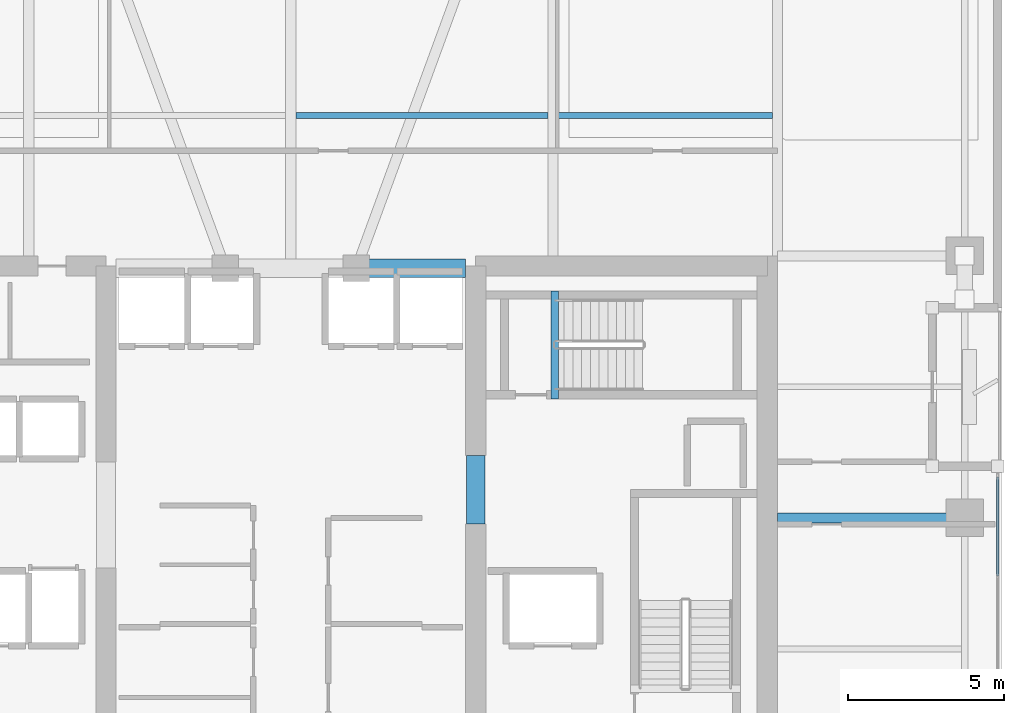
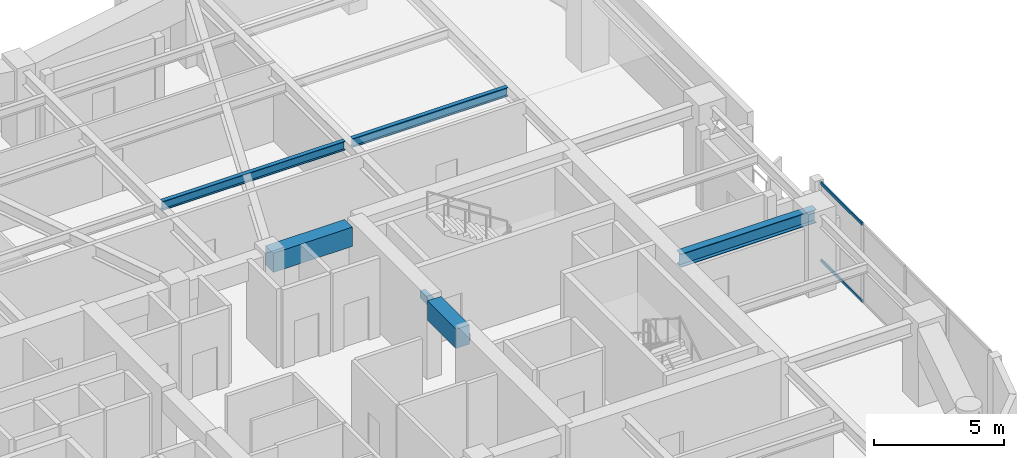
# One storey, part 10 of 30: 6 beams, 2 members, 1 element without a shape of its own.
"""IFC4 building model written with IfcOpenShell, lengths in metres."""

from ifc_helpers import new_model, si_unit, direction, frame, origin, origin_2d, place, context, subcontext, project, spatial, rectangle, hollow_rectangle, i_section, extrude, material, layer, layer_set, material_profile, profile_set, type_object, element, aggregate, save


model = new_model("IFC4")

# Units and contexts
model_context = context("Model", 3, precision=1e-05, world=origin(), true_north=direction((0.0, 1.0)))
body_context = subcontext(model_context, "Body", "Model", "MODEL_VIEW")
ifc_project = project(units=[si_unit("LENGTHUNIT", "METRE"), si_unit("AREAUNIT", "SQUARE_METRE"), si_unit("VOLUMEUNIT", "CUBIC_METRE"), si_unit("PLANEANGLEUNIT", "RADIAN"), si_unit("MASSUNIT", "GRAM", prefix="KILO")], contexts=[model_context])

# Site, building, storey
site_placement = place(None, origin())
site = spatial("IfcSite", under=ifc_project, at=site_placement, CompositionType="ELEMENT")
building_placement = place(site_placement, origin())
building = spatial("IfcBuilding", under=site, at=building_placement, Name="Kiyonajd Concourse Tower", CompositionType="ELEMENT")
storey_placement = place(building_placement, frame((0.0, 0.0, 194.10009765625)))
storey = spatial("IfcBuildingStorey", under=building, at=storey_placement, Name="L49", CompositionType="ELEMENT", Elevation=194.10009765625)

# Beams
ifc_material_1 = material(Name="Concrete C60/75", Category="concrete")
ifc_material_profile_1 = material_profile(ifc_material_1, rectangle(XDim=0.60009765625, YDim=0.89990234375, at=origin_2d()), Name="RCBM-600x900")
ifc_profile_set_1 = profile_set([ifc_material_profile_1], Name="Concrete C60/75")
beam_type_1 = type_object("IfcBeamType", Name="BM-COUP-900", PredefinedType="LINTEL", material=ifc_profile_set_1)
beam_1_placement = place(storey_placement, frame((50.10009765625, 44.0, 3.22998046875), z_axis=(1.0, 0.0, 0.0), x_axis=(0.0, 1.0, 0.0)))
element("IfcBeam", 1, at=beam_1_placement, inside=storey, type_object=beam_type_1, Name="L49 Core Coupling Beam N3", PredefinedType="LINTEL", context=body_context, shape_type="SweptSolid", body=[
    extrude(rectangle(XDim=0.60009765625, YDim=0.89990234375, at=origin_2d()), origin(), (0.0, 0.0, 1.0), 3.5),
])
beam_2_placement = place(storey_placement, frame((53.925048828125, 35.800048828125, 3.22998046875), z_axis=(0.0, 1.0, 0.0), x_axis=(-1.0, 0.0, 0.0)))
element("IfcBeam", 2, at=beam_2_placement, inside=storey, type_object=beam_type_1, Name="L49 East Core Throat Coupling Lintel", PredefinedType="LINTEL", context=body_context, shape_type="SweptSolid", body=[
    extrude(rectangle(XDim=0.60009765625, YDim=0.89990234375, at=origin_2d()), origin(), (0.0, 0.0, 1.0), 2.199951171875),
])
ifc_material_2 = material(Name="Steel ASTM A992 Grade 50", Category="steel")
ifc_material_profile_2 = material_profile(ifc_material_2, i_section(OverallWidth=0.180908203125, OverallDepth=0.4169921875, WebThickness=0.010986328125, FlangeThickness=0.018310546875, at=origin_2d()), Name="W410X85")
ifc_profile_set_2 = profile_set([ifc_material_profile_2], Name="Steel ASTM A992 Grade 50")
beam_type_2 = type_object("IfcBeamType", Name="BM-JST-410", PredefinedType="JOIST", material=ifc_profile_set_2)
beam_3_placement = place(storey_placement, frame((48.16357421875, 48.89990234375, 3.471435546875), z_axis=(1.0, 0.0, 0.0), x_axis=(0.0, 1.0, 0.0)))
element("IfcBeam", 3, at=beam_3_placement, inside=storey, type_object=beam_type_2, Name="L49 Secondary Floor Joist", PredefinedType="JOIST", context=body_context, shape_type="SweptSolid", body=[
    extrude(i_section(OverallWidth=0.180908203125, OverallDepth=0.4169921875, WebThickness=0.010986328125, FlangeThickness=0.018310546875, at=origin_2d()), origin(), (0.0, 0.0, 1.0), 8.072998046875),
])
beam_4_placement = place(storey_placement, frame((56.5634765625, 48.89990234375, 3.471435546875), z_axis=(1.0, 0.0, 0.0), x_axis=(0.0, 1.0, 0.0)))
element("IfcBeam", 4, at=beam_4_placement, inside=storey, type_object=beam_type_2, Name="L49 Secondary Floor Joist", PredefinedType="JOIST", context=body_context, shape_type="SweptSolid", body=[
    extrude(i_section(OverallWidth=0.180908203125, OverallDepth=0.4169921875, WebThickness=0.010986328125, FlangeThickness=0.018310546875, at=origin_2d()), origin(), (0.0, 0.0, 1.0), 6.873046875),
])
ifc_material_3 = material(Name="Concrete C50/60", Category="concrete")
ifc_material_profile_3 = material_profile(ifc_material_3, rectangle(XDim=0.239990234375, YDim=0.320068359375, at=origin_2d()), Name="RCBM-240x320")
ifc_profile_set_3 = profile_set([ifc_material_profile_3], Name="Concrete C50/60")
beam_type_3 = type_object("IfcBeamType", Name="BM-LNT-250", PredefinedType="LINTEL", material=ifc_profile_set_3)
beam_5_placement = place(storey_placement, frame((56.4599609375, 39.820068359375, -0.16015625), z_axis=(0.0, 1.0, 0.0), x_axis=(-1.0, 0.0, 0.0)))
element("IfcBeam", 5, at=beam_5_placement, inside=storey, type_object=beam_type_3, Name="L49 Stair ST3 Threshold Support Beam", PredefinedType="LINTEL", context=body_context, shape_type="SweptSolid", body=[
    extrude(rectangle(XDim=0.239990234375, YDim=0.320068359375, at=origin_2d()), origin(), (0.0, 0.0, 1.0), 3.4599609375),
])
ifc_material_profile_4 = material_profile(ifc_material_2, i_section(OverallWidth=0.326904296875, OverallDepth=0.6220703125, WebThickness=0.015380859375, FlangeThickness=0.0244140625, at=origin_2d()), Name="W610X195")
ifc_profile_set_4 = profile_set([ifc_material_profile_4], Name="Steel ASTM A992 Grade 50")
beam_type_4 = type_object("IfcBeamType", Name="BM-TWR-610A", PredefinedType="BEAM", material=ifc_profile_set_4)
beam_6_placement = place(storey_placement, frame((63.60009765625, 36.0, 3.368896484375), z_axis=(1.0, 0.0, 0.0), x_axis=(0.0, 1.0, 0.0)))
element("IfcBeam", 6, at=beam_6_placement, inside=storey, type_object=beam_type_4, Name="L49 East Lease Girder", PredefinedType="BEAM", context=body_context, shape_type="SweptSolid", body=[
    extrude(i_section(OverallWidth=0.326904296875, OverallDepth=0.6220703125, WebThickness=0.015380859375, FlangeThickness=0.0244140625, at=origin_2d()), origin(), (0.0, 0.0, 1.0), 6.0),
])

# Curtain wall, members
ifc_material_4 = material(Name="Thermally Broken Anodised Aluminium", Category="aluminium")
ifc_layer = layer(ifc_material_4, 0.179931640625)
ifc_layer_set = layer_set([ifc_layer], Name="Thermally Broken Anodised Aluminium")
curtain_wall_type = type_object("IfcCurtainWallType", Name="CW-SYS-03", PredefinedType="NOTDEFINED", material=ifc_layer_set)
curtain_wall_placement = place(storey_placement, origin())
curtain_wall = element("IfcCurtainWall", 7, at=curtain_wall_placement, inside=storey, type_object=curtain_wall_type, Name="L49 Unitised Curtain Wall CW3", PredefinedType="NOTDEFINED")
ifc_material_profile_5 = material_profile(ifc_material_4, hollow_rectangle(XDim=0.06494140625, YDim=0.139892578125, WallThickness=0.00390625, at=origin_2d()), Name="TRAN-65x140")
ifc_profile_set_5 = profile_set([ifc_material_profile_5], Name="Thermally Broken Anodised Aluminium")
member_type = type_object("IfcMemberType", Name="MB-CW-TRAN1", PredefinedType="USERDEFINED", material=ifc_profile_set_5)
member_1_placement = place(storey_placement, frame((70.659912109375, 37.304931640625, 0.032470703125), z_axis=(0.0, -1.0, 0.0), x_axis=(1.0, 0.0, 0.0)))
member_1 = element("IfcMember", 8, at=member_1_placement, type_object=member_type, Name="CW3 transom 1.1", ObjectType="TRANSOM", PredefinedType="USERDEFINED", context=body_context, shape_type="SweptSolid", body=[
    extrude(hollow_rectangle(XDim=0.06494140625, YDim=0.139892578125, WallThickness=0.00390625, at=origin_2d()), origin(), (0.0, 0.0, 1.0), 3.167724609375),
])
member_2_placement = place(storey_placement, frame((70.659912109375, 37.304931640625, 3.6474609375), z_axis=(0.0, -1.0, 0.0), x_axis=(1.0, 0.0, 0.0)))
member_2 = element("IfcMember", 9, at=member_2_placement, type_object=member_type, Name="CW3 transom 1.2", ObjectType="TRANSOM", PredefinedType="USERDEFINED", context=body_context, shape_type="SweptSolid", body=[
    extrude(hollow_rectangle(XDim=0.06494140625, YDim=0.139892578125, WallThickness=0.00390625, at=origin_2d()), origin(), (0.0, 0.0, 1.0), 3.167724609375),
])
aggregate(curtain_wall, [member_1, member_2])

save(model, "model.ifc")
